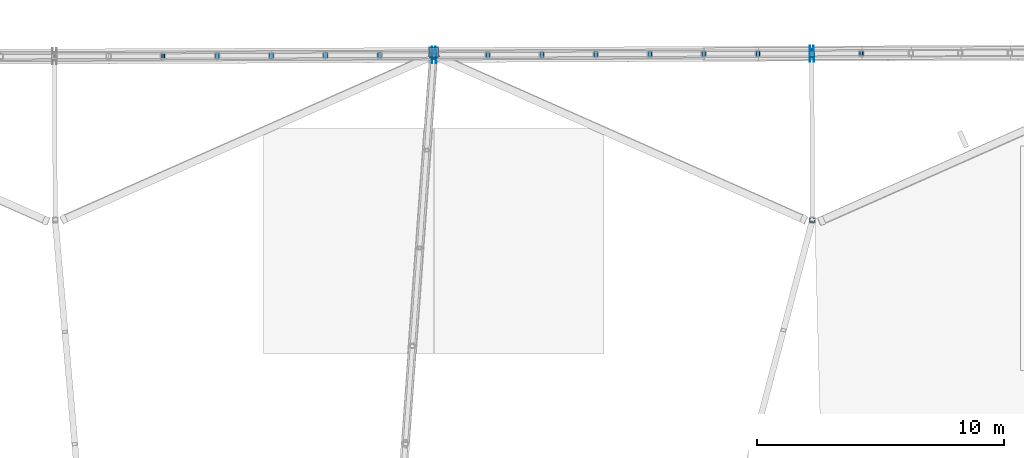
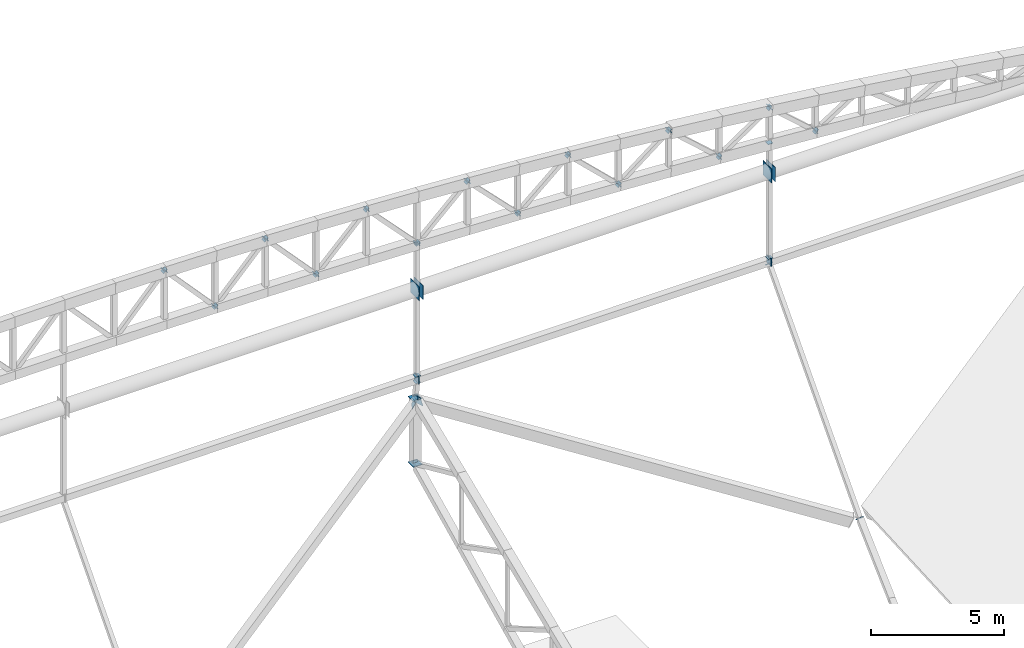
# One storey, part 173 of 188: 50 discrete accessories.
"""IFC4 building model written with IfcOpenShell, lengths in metres."""

from ifc_helpers import new_model, si_unit, direction, frame, origin, origin_2d, place, context, subcontext, project, spatial, rectangle, extrude, material, material_profile, profile_set, type_object, element, save


model = new_model("IFC4")

# Units and contexts
model_context = context("Model", 3, precision=1e-05, world=origin(), true_north=direction((0.0, 1.0)))
body_context = subcontext(model_context, "Body", "Model", "MODEL_VIEW")
ifc_project = project(units=[si_unit("LENGTHUNIT", "METRE"), si_unit("AREAUNIT", "SQUARE_METRE"), si_unit("VOLUMEUNIT", "CUBIC_METRE"), si_unit("PLANEANGLEUNIT", "RADIAN"), si_unit("MASSUNIT", "GRAM", prefix="KILO")], contexts=[model_context])

# Site, building, storey
site_placement = place(None, origin())
site = spatial("IfcSite", under=ifc_project, at=site_placement, CompositionType="ELEMENT")
building_placement = place(site_placement, origin())
building = spatial("IfcBuilding", under=site, at=building_placement, Name="Meseta Stadium", CompositionType="ELEMENT")
storey_placement = place(building_placement, frame((0.0, 0.0, 30.0)))
storey = spatial("IfcBuildingStorey", under=building, at=storey_placement, Name="ROOF", CompositionType="ELEMENT", Elevation=30.0)

# Discrete accessories
ifc_material_1 = material(Name="Steel S355", Category="steel")
ifc_material_profile_1 = material_profile(ifc_material_1, rectangle(XDim=0.219970703125, YDim=0.219970703125, at=origin_2d()), Name="PL 220x220")
ifc_profile_set_1 = profile_set([ifc_material_profile_1], Name="Steel S355")
discrete_accessory_type_1 = type_object("IfcDiscreteAccessoryType", Name="End plate 220x220x20", PredefinedType="ANCHORPLATE", material=ifc_profile_set_1)
discrete_accessory_1_placement = place(storey_placement, frame((7.666748046875, 105.39990234375, 7.486083984375), z_axis=(0.060324208981, 0.892798292924, -0.446399146462), x_axis=(-0.997725098286, 0.067413857992, 0.0)))
element("IfcDiscreteAccessory", 1, at=discrete_accessory_1_placement, inside=storey, type_object=discrete_accessory_type_1, Name="End plate of ROOF TRUSS RT-18 diagonal", PredefinedType="ANCHORPLATE", context=body_context, shape_type="SweptSolid", body=[
    extrude(rectangle(XDim=0.219970703125, YDim=0.219970703125, at=origin_2d()), origin(), (0.0, 0.0, 1.0), 0.020263671875),
])
for number, where, z_axis, x_axis, name in (
    (2, (24.976806640625, 105.3486328125, 16.70166015625), (-0.8431579539, 0.0, -0.537665941617), (0.0, -1.0, 0.0), "End plate of GABLE ARCH GA-N diagonal"),
    (3, (24.99169921875, 105.3486328125, 16.688232421875), (-0.742688444175, 0.0, 0.669637121797), (0.0, -1.0, 0.0), "End plate of GABLE ARCH GA-N diagonal"),
    (4, (22.97412109375, 105.3408203125, 18.473388671875), (-0.754081595886, 0.0, 0.656780744804), (0.0, -1.0, 0.0), "End plate of GABLE ARCH GA-N diagonal"),
    (5, (22.99072265625, 105.341064453125, 18.484619140625), (-0.828221974607, -0.012179734921, -0.560267806352), (0.014704292442, -0.999891886048, 0.0), "End plate of GABLE ARCH GA-N diagonal"),
    (6, (20.787353515625, 105.33251953125, 17.004638671875), (-0.833932205727, 0.0, -0.551866900848), (0.0, -1.0, 0.0), "End plate of GABLE ARCH GA-N diagonal"),
):
    element("IfcDiscreteAccessory", number, at=place(storey_placement, frame(where, z_axis=z_axis, x_axis=x_axis)), inside=storey, type_object=discrete_accessory_type_1, Name=name, PredefinedType="ANCHORPLATE", context=body_context, shape_type="SweptSolid", body=[
        extrude(rectangle(XDim=0.219970703125, YDim=0.219970703125, at=origin_2d()), origin(), (0.0, 0.0, 1.0), 0.02001953125),
    ])
discrete_accessory_2_placement = place(storey_placement, frame((20.80224609375, 105.33251953125, 16.991455078125), z_axis=(-0.748762225055, 0.0, 0.662838691033), x_axis=(0.0, -1.0, 0.0)))
element("IfcDiscreteAccessory", 7, at=discrete_accessory_2_placement, inside=storey, type_object=discrete_accessory_type_1, Name="End plate of GABLE ARCH GA-N diagonal", PredefinedType="ANCHORPLATE", context=body_context, shape_type="SweptSolid", body=[
    extrude(rectangle(XDim=0.219970703125, YDim=0.219970703125, at=origin_2d()), origin(), (0.0, 0.0, 1.0), 0.019775390625),
])
for number, where, z_axis, x_axis, name in (
    (8, (18.6005859375, 105.323974609375, 18.9609375), (-0.742688444175, 0.0, 0.669637121797), (0.0, -1.0, 0.0), "End plate of GABLE ARCH GA-N diagonal"),
    (9, (18.616455078125, 105.32421875, 18.97314453125), (-0.792565064524, -0.012193308685, -0.60966543425), (0.015382795043, -0.999881677808, 0.0), "End plate of GABLE ARCH GA-N diagonal"),
    (10, (16.4140625, 105.315673828125, 17.270751953125), (-0.792623989105, 0.0, -0.60971076085), (0.0, -1.0, 0.0), "End plate of GABLE ARCH GA-N diagonal"),
    (11, (16.428466796875, 105.315673828125, 17.2568359375), (-0.719191390085, 0.0, 0.694812020929), (0.0, -1.0, 0.0), "End plate of GABLE ARCH GA-N diagonal"),
):
    element("IfcDiscreteAccessory", number, at=place(storey_placement, frame(where, z_axis=z_axis, x_axis=x_axis)), inside=storey, type_object=discrete_accessory_type_1, Name=name, PredefinedType="ANCHORPLATE", context=body_context, shape_type="SweptSolid", body=[
        extrude(rectangle(XDim=0.219970703125, YDim=0.219970703125, at=origin_2d()), origin(), (0.0, 0.0, 1.0), 0.02001953125),
    ])
discrete_accessory_3_placement = place(storey_placement, frame((14.227294921875, 105.30712890625, 19.3759765625), z_axis=(-0.725306290926, 0.0, 0.688426310031), x_axis=(0.0, -1.0, 0.0)))
element("IfcDiscreteAccessory", 12, at=discrete_accessory_3_placement, inside=storey, type_object=discrete_accessory_type_1, Name="End plate of GABLE ARCH GA-N diagonal", PredefinedType="ANCHORPLATE", context=body_context, shape_type="SweptSolid", body=[
    extrude(rectangle(XDim=0.219970703125, YDim=0.219970703125, at=origin_2d()), origin(), (0.0, 0.0, 1.0), 0.019775390625),
])
for number, where, z_axis, x_axis, name in (
    (13, (14.242431640625, 105.307373046875, 19.388916015625), (-0.760064224581, -0.012259100396, -0.649732321013), (0.016126934718, -0.999869952532, 0.0), "End plate of GABLE ARCH GA-N diagonal"),
    (14, (12.04052734375, 105.298828125, 17.48779296875), (-0.754081595886, 0.0, -0.656780744804), (0.0, -1.0, 0.0), "End plate of GABLE ARCH GA-N diagonal"),
    (15, (12.054443359375, 105.298828125, 17.473388671875), (-0.694812020929, 0.0, 0.719191390085), (0.0, -1.0, 0.0), "End plate of GABLE ARCH GA-N diagonal"),
):
    element("IfcDiscreteAccessory", number, at=place(storey_placement, frame(where, z_axis=z_axis, x_axis=x_axis)), inside=storey, type_object=discrete_accessory_type_1, Name=name, PredefinedType="ANCHORPLATE", context=body_context, shape_type="SweptSolid", body=[
        extrude(rectangle(XDim=0.219970703125, YDim=0.219970703125, at=origin_2d()), origin(), (0.0, 0.0, 1.0), 0.02001953125),
    ])
discrete_accessory_4_placement = place(storey_placement, frame((9.853759765625, 105.29052734375, 19.716064453125), z_axis=(-0.700878536345, -0.012296114673, 0.713174651018), x_axis=(0.017541160386, -0.99984614201, 0.0)))
element("IfcDiscreteAccessory", 16, at=discrete_accessory_4_placement, inside=storey, type_object=discrete_accessory_type_1, Name="End plate of GABLE ARCH GA-N diagonal", PredefinedType="ANCHORPLATE", context=body_context, shape_type="SweptSolid", body=[
    extrude(rectangle(XDim=0.219970703125, YDim=0.219970703125, at=origin_2d()), origin(), (0.0, 0.0, 1.0), 0.019775390625),
])
for number, where, z_axis, x_axis, name in (
    (17, (9.868408203125, 105.29052734375, 19.729736328125), (-0.731055268243, 0.0, -0.68231825036), (0.0, -1.0, 0.0), "End plate of GABLE ARCH GA-N diagonal"),
    (18, (7.667236328125, 105.281982421875, 17.657470703125), (-0.731055268243, 0.0, -0.68231825036), (0.0, -1.0, 0.0), "End plate of GABLE ARCH GA-N diagonal"),
    (19, (7.680908203125, 105.281982421875, 17.642822265625), (-0.68231825036, 0.0, 0.731055268243), (0.0, -1.0, 0.0), "End plate of GABLE ARCH GA-N diagonal"),
    (20, (5.472900390625, 105.273681640625, 19.97998046875), (-0.68226760886, -0.012183350158, 0.731001009493), (0.017854296417, -0.999840599345, 0.0), "End plate of GABLE ARCH GA-N diagonal"),
    (21, (5.487060546875, 105.273681640625, 19.994140625), (-0.707106781187, 0.0, -0.707106781187), (0.0, -1.0, 0.0), "End plate of GABLE ARCH GA-N diagonal"),
    (22, (3.27880859375, 105.26513671875, 17.781982421875), (-0.707106781187, 0.0, -0.707106781187), (0.0, -1.0, 0.0), "End plate of GABLE ARCH GA-N diagonal"),
    (23, (3.292236328125, 105.26513671875, 17.76708984375), (-0.669637121797, 0.0, 0.742688444175), (0.0, -1.0, 0.0), "End plate of GABLE ARCH GA-N diagonal"),
):
    element("IfcDiscreteAccessory", number, at=place(storey_placement, frame(where, z_axis=z_axis, x_axis=x_axis)), inside=storey, type_object=discrete_accessory_type_1, Name=name, PredefinedType="ANCHORPLATE", context=body_context, shape_type="SweptSolid", body=[
        extrude(rectangle(XDim=0.219970703125, YDim=0.219970703125, at=origin_2d()), origin(), (0.0, 0.0, 1.0), 0.02001953125),
    ])
discrete_accessory_5_placement = place(storey_placement, frame((1.08447265625, 105.256591796875, 20.166015625), z_axis=(-0.675724628517, 0.0, 0.737154140201), x_axis=(0.0, -1.0, 0.0)))
element("IfcDiscreteAccessory", 24, at=discrete_accessory_5_placement, inside=storey, type_object=discrete_accessory_type_1, Name="End plate of GABLE ARCH GA-N diagonal", PredefinedType="ANCHORPLATE", context=body_context, shape_type="SweptSolid", body=[
    extrude(rectangle(XDim=0.219970703125, YDim=0.219970703125, at=origin_2d()), origin(), (0.0, 0.0, 1.0), 0.019775390625),
])
discrete_accessory_6_placement = place(storey_placement, frame((1.098388671875, 105.2568359375, 20.1806640625), z_axis=(-0.688699186396, -0.012082441867, -0.724946511996), x_axis=(0.017541160386, -0.99984614201, 0.0)))
element("IfcDiscreteAccessory", 25, at=discrete_accessory_6_placement, inside=storey, type_object=discrete_accessory_type_1, Name="End plate of GABLE ARCH GA-N diagonal", PredefinedType="ANCHORPLATE", context=body_context, shape_type="SweptSolid", body=[
    extrude(rectangle(XDim=0.219970703125, YDim=0.219970703125, at=origin_2d()), origin(), (0.0, 0.0, 1.0), 0.020263671875),
])
for number, where, z_axis, x_axis, name in (
    (26, (-1.109619140625, 105.248291015625, 17.86181640625), (-0.68231825036, 0.0, -0.731055268243), (0.0, -1.0, 0.0), "End plate of GABLE ARCH GA-N diagonal"),
    (27, (-1.09619140625, 105.248291015625, 17.846923828125), (-0.669637121797, 0.0, 0.742688444175), (0.0, -1.0, 0.0), "End plate of GABLE ARCH GA-N diagonal"),
    (28, (-3.3037109375, 105.23974609375, 20.2724609375), (-0.669637121797, 0.0, 0.742688444175), (0.0, -1.0, 0.0), "End plate of GABLE ARCH GA-N diagonal"),
):
    element("IfcDiscreteAccessory", number, at=place(storey_placement, frame(where, z_axis=z_axis, x_axis=x_axis)), inside=storey, type_object=discrete_accessory_type_1, Name=name, PredefinedType="ANCHORPLATE", context=body_context, shape_type="SweptSolid", body=[
        extrude(rectangle(XDim=0.219970703125, YDim=0.219970703125, at=origin_2d()), origin(), (0.0, 0.0, 1.0), 0.02001953125),
    ])
discrete_accessory_7_placement = place(storey_placement, frame((-3.290283203125, 105.23974609375, 20.287109375), z_axis=(-0.675724628517, 0.0, -0.737154140201), x_axis=(0.0, -1.0, 0.0)))
element("IfcDiscreteAccessory", 29, at=discrete_accessory_7_placement, inside=storey, type_object=discrete_accessory_type_1, Name="End plate of GABLE ARCH GA-N diagonal", PredefinedType="ANCHORPLATE", context=body_context, shape_type="SweptSolid", body=[
    extrude(rectangle(XDim=0.219970703125, YDim=0.219970703125, at=origin_2d()), origin(), (0.0, 0.0, 1.0), 0.019775390625),
])
for number, where, z_axis, x_axis, name in (
    (30, (22.97412109375, 105.3408203125, 16.87255859375), (0.0, 0.0, -1.0), (1.0, 0.0, 0.0), "End plate of GABLE ARCH GA-N hanger RT-17"),
    (31, (22.97412109375, 105.3408203125, 11.60009765625), (0.0, 0.0, -1.0), (1.0, 0.0, 0.0), "End plate of GABLE ARCH GA-N hanger RT-17"),
    (32, (22.97412109375, 105.354248046875, 11.31494140625), (0.0, -0.669637121797, -0.742688444175), (1.0, 0.0, 0.0), "End plate of GABLE ARCH GA-N hanger RT-17"),
    (33, (23.0, 98.60009765625, 3.740234375), (0.0, -0.669637121797, -0.742688444175), (1.0, 0.0, 0.0), "End plate of GABLE ARCH GA-N hanger RT-17"),
    (34, (7.667236328125, 105.281982421875, 17.677490234375), (0.0, 0.0, -1.0), (1.0, 0.0, 0.0), "End plate of GABLE ARCH GA-N hanger RT-18"),
    (35, (7.667236328125, 105.281982421875, 11.60009765625), (0.0, 0.0, -1.0), (1.0, 0.0, 0.0), "End plate of GABLE ARCH GA-N hanger RT-18"),
    (36, (7.667236328125, 105.279052734375, 11.31982421875), (0.0, 0.146548661089, -0.989203462354), (-1.0, 0.0, 0.0), "End plate of GABLE ARCH GA-N hanger RT-18"),
    (37, (7.666748046875, 105.39990234375, 10.486083984375), (0.0, 0.146548661089, -0.989203462354), (-1.0, 0.0, 0.0), "End plate of GABLE ARCH GA-N hanger RT-18"),
):
    element("IfcDiscreteAccessory", number, at=place(storey_placement, frame(where, z_axis=z_axis, x_axis=x_axis)), inside=storey, type_object=discrete_accessory_type_1, Name=name, PredefinedType="ANCHORPLATE", context=body_context, shape_type="SweptSolid", body=[
        extrude(rectangle(XDim=0.219970703125, YDim=0.219970703125, at=origin_2d()), origin(), (0.0, 0.0, 1.0), 0.02001953125),
    ])
ifc_material_2 = material(Name="Steel S355", Category="steel")
ifc_material_profile_2 = material_profile(ifc_material_2, rectangle(XDim=0.340087890625, YDim=0.340087890625, at=origin_2d()), Name="PL 340x340")
ifc_profile_set_2 = profile_set([ifc_material_profile_2], Name="Steel S355")
discrete_accessory_type_2 = type_object("IfcDiscreteAccessoryType", Name="End plate 340x340x20", PredefinedType="ANCHORPLATE", material=ifc_profile_set_2)
for number, where, z_axis, x_axis, name in (
    (38, (22.97412109375, 105.3408203125, 11.449951171875), (-1.0, 0.0, 0.0), (0.0, -1.0, 0.0), "End plate of GABLE ARCH GA-N sill beam 01"),
    (39, (22.994140625, 105.341064453125, 11.449951171875), (-0.999925647793, -0.012194215217, 0.0), (0.012194215217, -0.999925647793, 0.0), "End plate of GABLE ARCH GA-N sill beam 02"),
    (40, (7.667236328125, 105.281982421875, 11.449951171875), (-1.0, 0.0, 0.0), (0.0, -1.0, 0.0), "End plate of GABLE ARCH GA-N sill beam 02"),
):
    element("IfcDiscreteAccessory", number, at=place(storey_placement, frame(where, z_axis=z_axis, x_axis=x_axis)), inside=storey, type_object=discrete_accessory_type_2, Name=name, PredefinedType="ANCHORPLATE", context=body_context, shape_type="SweptSolid", body=[
        extrude(rectangle(XDim=0.340087890625, YDim=0.340087890625, at=origin_2d()), origin(), (0.0, 0.0, 1.0), 0.02001953125),
    ])
discrete_accessory_8_placement = place(storey_placement, frame((7.68701171875, 105.281982421875, 11.449951171875), z_axis=(-1.0, 0.0, 0.0), x_axis=(0.0, -1.0, 0.0)))
element("IfcDiscreteAccessory", 41, at=discrete_accessory_8_placement, inside=storey, type_object=discrete_accessory_type_2, Name="End plate of GABLE ARCH GA-N sill beam 03", PredefinedType="ANCHORPLATE", context=body_context, shape_type="SweptSolid", body=[
    extrude(rectangle(XDim=0.340087890625, YDim=0.340087890625, at=origin_2d()), origin(), (0.0, 0.0, 1.0), 0.019775390625),
])
ifc_material_3 = material(Name="Steel S355", Category="steel")
ifc_material_profile_3 = material_profile(ifc_material_3, rectangle(XDim=0.340087890625, YDim=0.5400390625, at=origin_2d()), Name="PL 340x540")
ifc_profile_set_3 = profile_set([ifc_material_profile_3], Name="Steel S355")
discrete_accessory_type_3 = type_object("IfcDiscreteAccessoryType", Name="End plate 340x540x20", PredefinedType="ANCHORPLATE", material=ifc_profile_set_3)
for number, where, z_axis, x_axis, name in (
    (42, (7.603271484375, 105.306640625, 10.40478515625), (-0.844040643991, 0.379206666141, 0.379206666141), (-0.433102795679, -0.898997349369, -0.065005647466), "End plate of RIM RING BEAM 18"),
    (43, (7.74609375, 105.316650390625, 10.411865234375), (-0.85131948188, -0.36485120652, -0.377012913404), (0.418826946219, -0.905399022441, -0.069545663294), "End plate of RIM RING BEAM 19"),
):
    element("IfcDiscreteAccessory", number, at=place(storey_placement, frame(where, z_axis=z_axis, x_axis=x_axis)), inside=storey, type_object=discrete_accessory_type_3, Name=name, PredefinedType="ANCHORPLATE", context=body_context, shape_type="SweptSolid", body=[
        extrude(rectangle(XDim=0.340087890625, YDim=0.5400390625, at=origin_2d()), origin(), (0.0, 0.0, 1.0), 0.02001953125),
    ])
ifc_material_4 = material(Name="Steel S355", Category="steel")
ifc_material_profile_4 = material_profile(ifc_material_4, rectangle(XDim=0.389892578125, YDim=0.389892578125, at=origin_2d()), Name="PL 390x390")
ifc_profile_set_4 = profile_set([ifc_material_profile_4], Name="Steel S355")
discrete_accessory_type_4 = type_object("IfcDiscreteAccessoryType", Name="End plate 390x390x20", PredefinedType="ANCHORPLATE", material=ifc_profile_set_4)
for number, where, z_axis, x_axis, name in (
    (44, (7.666748046875, 105.39990234375, 7.466064453125), (0.0, 0.0, 1.0), (1.0, 0.0, 0.0), "End plate of ROOF TRUSS RT-18 post"),
    (45, (7.666748046875, 105.39990234375, 10.486083984375), (0.0, 0.0, 1.0), (1.0, 0.0, 0.0), "End plate of ROOF TRUSS RT-18 post"),
    (46, (7.666748046875, 105.39990234375, 7.486083984375), (0.0, 0.0, 1.0), (1.0, 0.0, 0.0), "End plate of ROOF RIM POST RT-18"),
):
    element("IfcDiscreteAccessory", number, at=place(storey_placement, frame(where, z_axis=z_axis, x_axis=x_axis)), inside=storey, type_object=discrete_accessory_type_4, Name=name, PredefinedType="ANCHORPLATE", context=body_context, shape_type="SweptSolid", body=[
        extrude(rectangle(XDim=0.389892578125, YDim=0.389892578125, at=origin_2d()), origin(), (0.0, 0.0, 1.0), 0.02001953125),
    ])
ifc_material_5 = material(Name="Steel S355", Category="steel")
ifc_material_profile_5 = material_profile(ifc_material_5, rectangle(XDim=0.64990234375, YDim=0.64990234375, at=origin_2d()), Name="PL 650x650")
ifc_profile_set_5 = profile_set([ifc_material_profile_5], Name="Steel S355")
discrete_accessory_type_5 = type_object("IfcDiscreteAccessoryType", Name="End plate 650x650x20", PredefinedType="ANCHORPLATE", material=ifc_profile_set_5)
for number, where, z_axis, x_axis, name in (
    (47, (23.06396484375, 105.34130859375, 15.550048828125), (-0.999925647793, -0.012194215217, 0.0), (0.012194215217, -0.999925647793, 0.0), "End plate of GABLE ARCH GA-N tie 01"),
    (48, (22.904052734375, 105.340576171875, 15.550048828125), (-1.0, 0.0, 0.0), (0.0, -1.0, 0.0), "End plate of GABLE ARCH GA-N tie 02"),
    (49, (7.757080078125, 105.282470703125, 15.550048828125), (-0.999925647793, -0.012194215217, 0.0), (0.012194215217, -0.999925647793, 0.0), "End plate of GABLE ARCH GA-N tie 02"),
    (50, (7.59716796875, 105.28173828125, 15.550048828125), (-1.0, 0.0, 0.0), (0.0, -1.0, 0.0), "End plate of GABLE ARCH GA-N tie 03"),
):
    element("IfcDiscreteAccessory", number, at=place(storey_placement, frame(where, z_axis=z_axis, x_axis=x_axis)), inside=storey, type_object=discrete_accessory_type_5, Name=name, PredefinedType="ANCHORPLATE", context=body_context, shape_type="SweptSolid", body=[
        extrude(rectangle(XDim=0.64990234375, YDim=0.64990234375, at=origin_2d()), origin(), (0.0, 0.0, 1.0), 0.02001953125),
    ])

save(model, "model.ifc")
